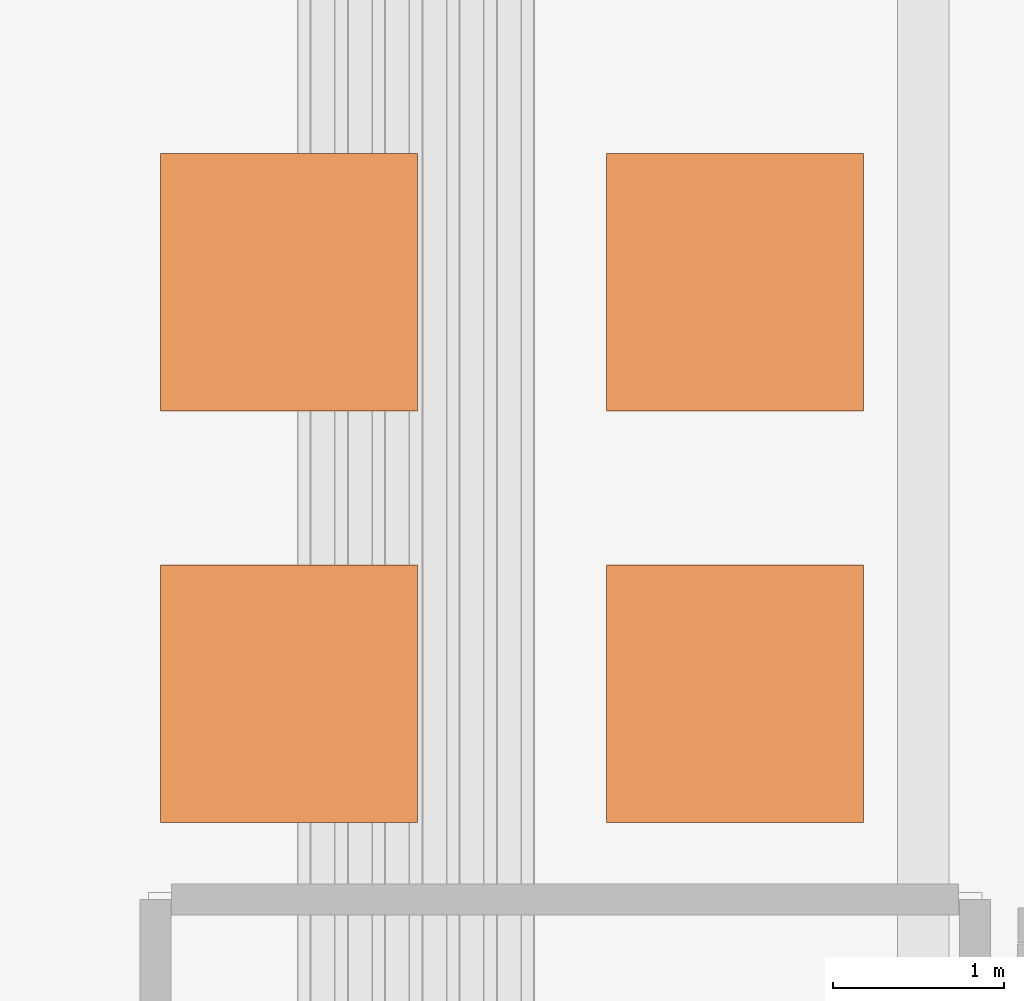
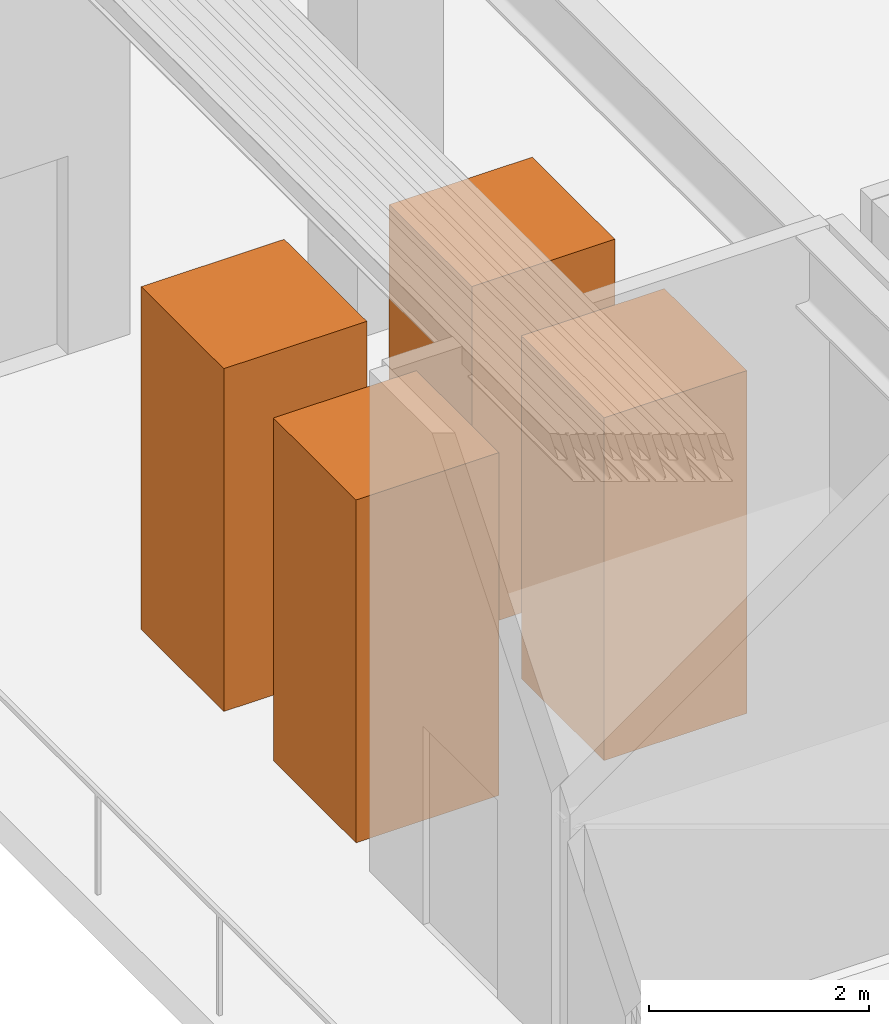
# One storey, part 8 of 8: 4 proxies.
"""IFC4 building model written with IfcOpenShell, lengths in metres."""

from ifc_helpers import new_model, si_unit, direction, frame, origin, origin_2d, place, context, subcontext, project, spatial, rectangle, extrude, element, save


model = new_model("IFC4")

# Units and contexts
model_context = context("Model", 3, precision=1e-05, world=origin(), true_north=direction((0.0, 1.0)))
body_context = subcontext(model_context, "Body", "Model", "MODEL_VIEW")
ifc_project = project(units=[si_unit("LENGTHUNIT", "METRE"), si_unit("AREAUNIT", "SQUARE_METRE"), si_unit("VOLUMEUNIT", "CUBIC_METRE"), si_unit("PLANEANGLEUNIT", "RADIAN"), si_unit("MASSUNIT", "GRAM", prefix="KILO")], contexts=[model_context])

# Site, building, storey
site_placement = place(None, origin())
site = spatial("IfcSite", under=ifc_project, at=site_placement, CompositionType="ELEMENT")
building_placement = place(site_placement, origin())
building = spatial("IfcBuilding", under=site, at=building_placement, Name="Caeloran Harvest Quay", CompositionType="ELEMENT")
storey_placement = place(building_placement, frame((0.0, 0.0, 250.89990234375)))
storey = spatial("IfcBuildingStorey", under=building, at=storey_placement, Name="L60", CompositionType="ELEMENT", Elevation=250.89990234375)

# Proxies
for number, where, z_axis, x_axis, name in (
    (1, (21.800048828125, 24.39990234375, 0.0), (0.0, 0.0, 1.0), (1.0, 0.0, 0.0), "Shrouded Vertical-Axis Wind Turbine Generator WT-01"),
    (2, (24.39990234375, 24.39990234375, 0.0), (0.0, 0.0, 1.0), (1.0, 0.0, 0.0), "Shrouded Vertical-Axis Wind Turbine Generator WT-02"),
    (3, (21.800048828125, 26.800048828125, 0.0), (0.0, 0.0, 1.0), (1.0, 0.0, 0.0), "Shrouded Vertical-Axis Wind Turbine Generator WT-03"),
    (4, (24.39990234375, 26.800048828125, 0.0), (0.0, 0.0, 1.0), (1.0, 0.0, 0.0), "Shrouded Vertical-Axis Wind Turbine Generator WT-04"),
):
    element("IfcBuildingElementProxy", number, at=place(storey_placement, frame(where, z_axis=z_axis, x_axis=x_axis)), inside=storey, Name=name, ObjectType="WIND TURBINE", PredefinedType="USERDEFINED", context=body_context, shape_type="SweptSolid", body=[
        extrude(rectangle(XDim=1.5, YDim=1.5, at=origin_2d()), origin(), (0.0, 0.0, 1.0), 3.800048828125),
    ])

save(model, "model.ifc")
